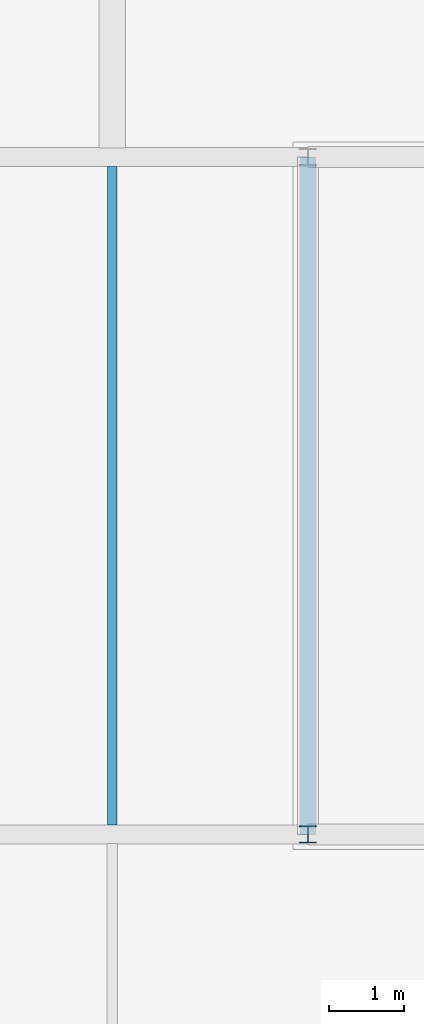
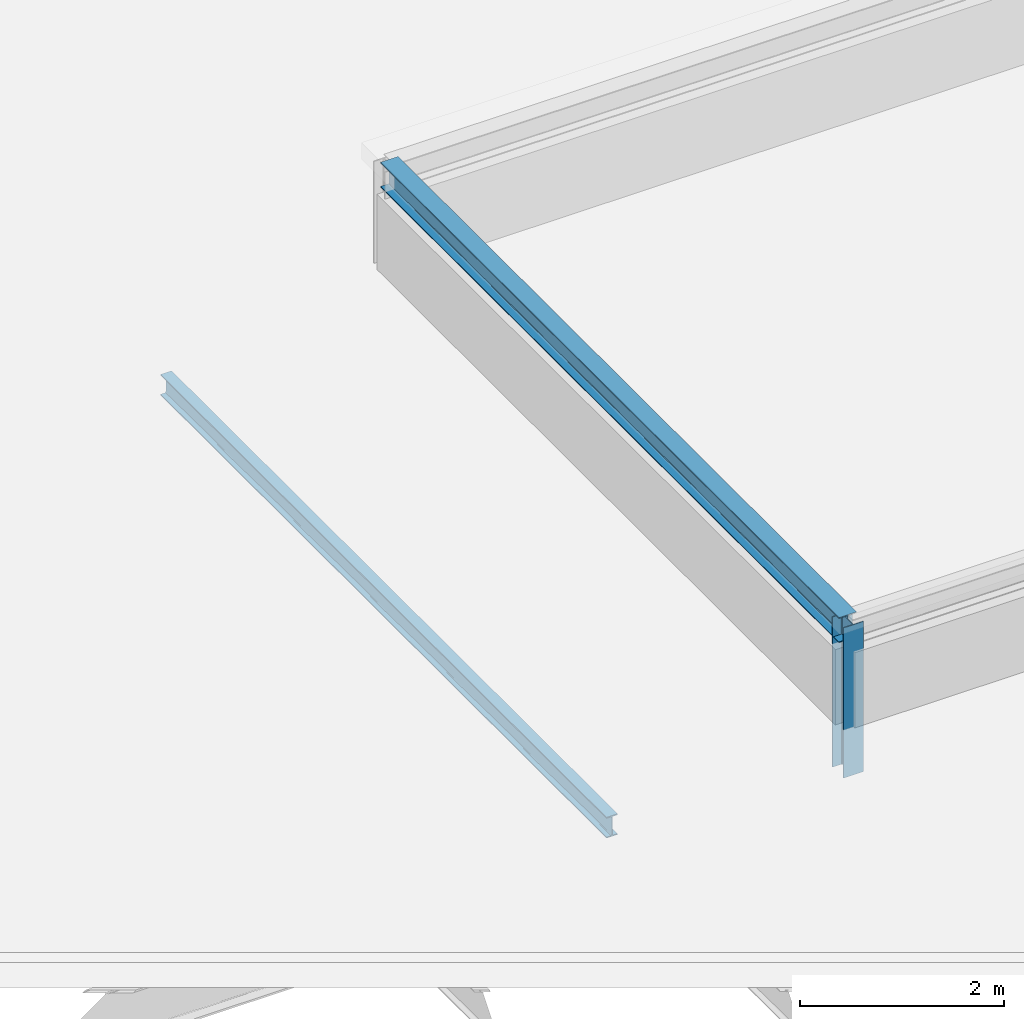
# One storey, part 2 of 9: 2 beams, 1 member.
"""IFC4 building model written with IfcOpenShell, lengths in metres."""

from ifc_helpers import new_model, si_unit, derived_unit, direction, frame, origin, origin_2d, place, context, subcontext, project, spatial, i_section, extrude, material, material_profile, profile_set, type_object, element, save


model = new_model("IFC4")

# Units and contexts
model_context = context("Model", 3, precision=1e-05, world=origin(), true_north=direction((0.0, 1.0)))
body_context = subcontext(model_context, "Body", "Model", "MODEL_VIEW")
ifc_project = project(units=[si_unit("LENGTHUNIT", "METRE"), si_unit("AREAUNIT", "SQUARE_METRE"), si_unit("VOLUMEUNIT", "CUBIC_METRE"), si_unit("PLANEANGLEUNIT", "RADIAN"), si_unit("MASSUNIT", "GRAM", prefix="KILO"), derived_unit("THERMALTRANSMITTANCEUNIT", [(si_unit("POWERUNIT", "WATT"), 1), (si_unit("LENGTHUNIT", "METRE"), -2), (si_unit("THERMODYNAMICTEMPERATUREUNIT", "KELVIN"), -1)])], contexts=[model_context])

# Site, building, storey
site_placement = place(None, origin())
site = spatial("IfcSite", under=ifc_project, at=site_placement, CompositionType="ELEMENT")
building_placement = place(site_placement, origin())
building = spatial("IfcBuilding", under=site, at=building_placement, Name="Nallur Shell Playhouse", CompositionType="ELEMENT")
storey_placement = place(building_placement, frame((0.0, 0.0, 31.199951171875)))
storey = spatial("IfcBuildingStorey", under=building, at=storey_placement, Name="RF2", CompositionType="ELEMENT", Elevation=31.199951171875)

# Beams
ifc_material_1 = material(Name="Steel E250", Category="steel")
ifc_material_profile_1 = material_profile(ifc_material_1, i_section(OverallWidth=0.125, OverallDepth=0.25, WebThickness=0.0068359375, FlangeThickness=0.012451171875, FilletRadius=0.012939453125, at=origin_2d()), Name="ISMB 250")
ifc_profile_set_1 = profile_set([ifc_material_profile_1], Name="Steel E250")
beam_type_1 = type_object("IfcBeamType", Name="BM-JST-ISMB250", PredefinedType="JOIST", material=ifc_profile_set_1)
beam_1_placement = place(storey_placement, frame((77.0, 56.123046875, -0.344970703125), z_axis=(0.0, 1.0, 0.0), x_axis=(-1.0, 0.0, 0.0)))
element("IfcBeam", 1, at=beam_1_placement, inside=storey, type_object=beam_type_1, Name="RF2 secondary joist 9-G-1288", PredefinedType="JOIST", context=body_context, shape_type="SweptSolid", body=[
    extrude(i_section(OverallWidth=0.125, OverallDepth=0.25, WebThickness=0.0068359375, FlangeThickness=0.012451171875, FilletRadius=0.012939453125, at=origin_2d()), origin(), (0.0, 0.0, 1.0), 8.75390625),
])
ifc_material_profile_2 = material_profile(ifc_material_1, i_section(OverallWidth=0.199951171875, OverallDepth=0.300048828125, WebThickness=0.00732421875, FlangeThickness=0.010009765625, FilletRadius=0.010986328125, at=origin_2d()), Name="ISWB 300")
ifc_profile_set_2 = profile_set([ifc_material_profile_2], Name="Steel E250")
beam_type_2 = type_object("IfcBeamType", Name="BM-ST-ISWB300", PredefinedType="BEAM", material=ifc_profile_set_2)
beam_2_placement = place(storey_placement, frame((79.60009765625, 65.0, 1.199951171875), z_axis=(0.0, -1.0, 0.0), x_axis=(1.0, 0.0, 0.0)))
element("IfcBeam", 2, at=beam_2_placement, inside=storey, type_object=beam_type_2, Name="Smoke lantern ring beam 4", PredefinedType="BEAM", context=body_context, shape_type="SweptSolid", body=[
    extrude(i_section(OverallWidth=0.199951171875, OverallDepth=0.300048828125, WebThickness=0.00732421875, FlangeThickness=0.010009765625, FilletRadius=0.010986328125, at=origin_2d()), origin(), (0.0, 0.0, 1.0), 9.0),
])

# Member
ifc_material_2 = material(Name="Steel E350", Category="steel")
ifc_material_profile_3 = material_profile(ifc_material_2, i_section(OverallWidth=0.22509765625, OverallDepth=0.22509765625, WebThickness=0.008544921875, FlangeThickness=0.009033203125, FilletRadius=0.010009765625, at=origin_2d()), Name="ISHB 225")
ifc_profile_set_3 = profile_set([ifc_material_profile_3], Name="Steel E350")
member_type = type_object("IfcMemberType", Name="MB-TR-POST", PredefinedType="POST", material=ifc_profile_set_3)
member_placement = place(storey_placement, frame((79.60009765625, 56.0, -0.5), z_axis=(0.0, 0.0, 1.0), x_axis=(1.0, 0.0, 0.0)))
element("IfcMember", 3, at=member_placement, inside=storey, type_object=member_type, Name="Smoke lantern corner column 1", PredefinedType="POST", context=body_context, shape_type="SweptSolid", body=[
    extrude(i_section(OverallWidth=0.22509765625, OverallDepth=0.22509765625, WebThickness=0.008544921875, FlangeThickness=0.009033203125, FilletRadius=0.010009765625, at=origin_2d()), origin(), (0.0, 0.0, 1.0), 1.800048828125),
])

save(model, "model.ifc")
